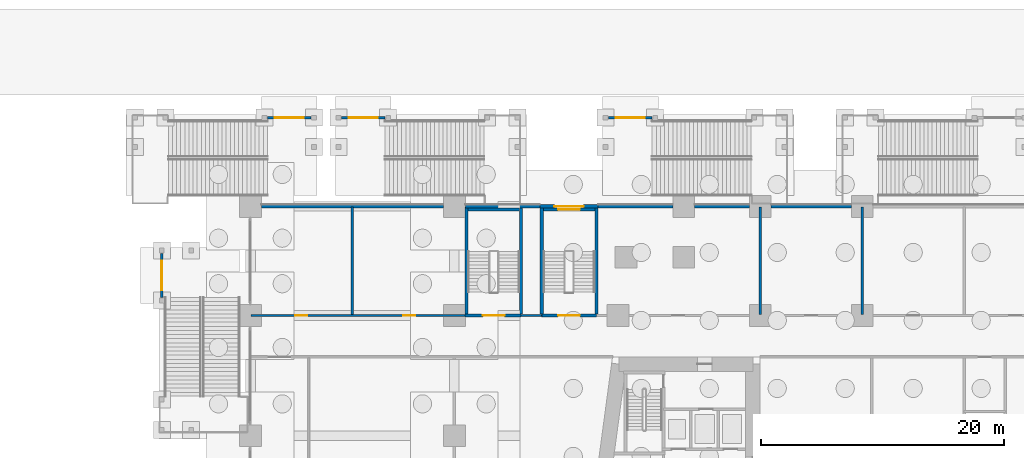
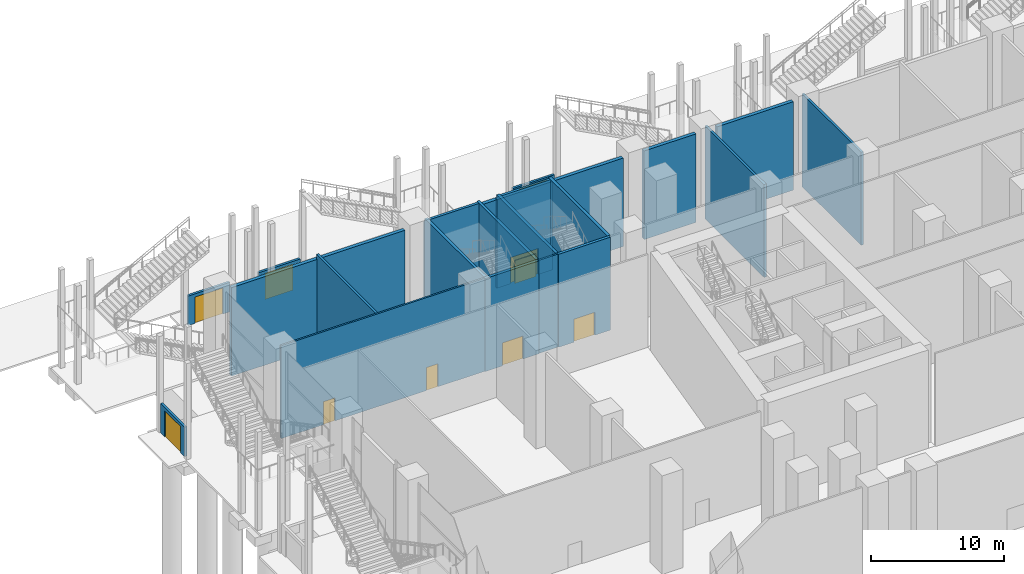
# One storey, part 49 of 72: 23 walls, 10 doors, 10 openings.
"""IFC4 building model written with IfcOpenShell, lengths in metres."""

from ifc_helpers import new_model, si_unit, direction, frame, frame_2d, origin, place, context, subcontext, project, spatial, rectangle, extrude, material, layer, layer_set, type_object, element, fill, save


model = new_model("IFC4")

# Units and contexts
model_context = context("Model", 3, precision=1e-05, world=origin(), true_north=direction((0.0, 1.0)))
body_context = subcontext(model_context, "Body", "Model", "MODEL_VIEW")
ifc_project = project(units=[si_unit("LENGTHUNIT", "METRE"), si_unit("AREAUNIT", "SQUARE_METRE"), si_unit("VOLUMEUNIT", "CUBIC_METRE"), si_unit("PLANEANGLEUNIT", "RADIAN"), si_unit("MASSUNIT", "GRAM", prefix="KILO")], contexts=[model_context])

# Site, building, storey
site_placement = place(None, origin())
site = spatial("IfcSite", under=ifc_project, at=site_placement, CompositionType="ELEMENT")
building_placement = place(site_placement, origin())
building = spatial("IfcBuilding", under=site, at=building_placement, Name="Candeia Pilgrim Tower and Theatre", CompositionType="ELEMENT")
storey_placement = place(building_placement, origin())
storey = spatial("IfcBuildingStorey", under=building, at=storey_placement, Name="L00", CompositionType="ELEMENT", Elevation=0.0)

# Walls
ifc_material_1 = material(Name="Ceramic block masonry", Category="masonry")
ifc_layer_1 = layer(ifc_material_1, 0.300048828125)
ifc_layer_set_1 = layer_set([ifc_layer_1], Name="EW1 glazing-line wall 300")
wall_type_1 = type_object("IfcWallType", Name="EW1 glazing-line wall 300", PredefinedType="SOLIDWALL", material=ifc_layer_set_1)
wall_1_placement = place(storey_placement, frame((59.699951171875, 144.800048828125, 0.0), z_axis=(0.0, 0.0, 1.0), x_axis=(1.0, 0.0, 0.0)))
element("IfcWall", 1, at=wall_1_placement, inside=storey, type_object=wall_type_1, Name="External wall L00 blind", PredefinedType="SOLIDWALL", context=body_context, shape_type="SweptSolid", body=[
    extrude(rectangle(XDim=15.0, YDim=0.300048828125, at=frame_2d((7.5, 0.0))), origin(), (0.0, 0.0, 1.0), 8.10009765625),
])
wall_2_placement = place(storey_placement, frame((76.5, 144.800048828125, 0.0), z_axis=(0.0, 0.0, 1.0), x_axis=(1.0, 0.0, 0.0)))
element("IfcWall", 2, at=wall_2_placement, inside=storey, type_object=wall_type_1, Name="External wall L00 blind", PredefinedType="SOLIDWALL", context=body_context, shape_type="SweptSolid", body=[
    extrude(rectangle(XDim=6.14990234375, YDim=0.300048828125, at=frame_2d((3.074951171875, 0.0))), origin(), (0.0, 0.0, 1.0), 8.10009765625),
])
wall_3_placement = place(storey_placement, frame((87.449951171875, 144.800048828125, 0.0), z_axis=(0.0, 0.0, 1.0), x_axis=(1.0, 0.0, 0.0)))
element("IfcWall", 3, at=wall_3_placement, inside=storey, type_object=wall_type_1, Name="External wall L00 blind", PredefinedType="SOLIDWALL", context=body_context, shape_type="SweptSolid", body=[
    extrude(rectangle(XDim=6.150146484375, YDim=0.300048828125, at=frame_2d((3.0751953125, 0.0))), origin(), (0.0, 0.0, 1.0), 8.10009765625),
])
wall_4_placement = place(storey_placement, frame((95.39990234375, 144.800048828125, 0.0), z_axis=(0.0, 0.0, 1.0), x_axis=(1.0, 0.0, 0.0)))
element("IfcWall", 4, at=wall_4_placement, inside=storey, type_object=wall_type_1, Name="External wall L00 blind", PredefinedType="SOLIDWALL", context=body_context, shape_type="SweptSolid", body=[
    extrude(rectangle(XDim=4.5, YDim=0.300048828125, at=frame_2d((2.25, 0.0))), origin(), (0.0, 0.0, 1.0), 8.10009765625),
])
wall_5_placement = place(storey_placement, frame((101.699951171875, 144.800048828125, 0.0), z_axis=(0.0, 0.0, 1.0), x_axis=(1.0, 0.0, 0.0)))
element("IfcWall", 5, at=wall_5_placement, inside=storey, type_object=wall_type_1, Name="External wall L00 blind", PredefinedType="SOLIDWALL", context=body_context, shape_type="SweptSolid", body=[
    extrude(rectangle(XDim=6.60009765625, YDim=0.300048828125, at=frame_2d((3.300048828125, 0.0))), origin(), (0.0, 0.0, 1.0), 8.10009765625),
])

# Wall, opening, door
ifc_layer_2 = layer(ifc_material_1, 0.300048828125)
ifc_layer_set_2 = layer_set([ifc_layer_2], Name="EW2 entrance infill wall 300")
wall_type_2 = type_object("IfcWallType", Name="EW2 entrance infill wall 300", PredefinedType="SOLIDWALL", material=ifc_layer_set_2)
wall_6_placement = place(storey_placement, frame((82.64990234375, 144.800048828125, 0.0), z_axis=(0.0, 0.0, 1.0), x_axis=(1.0, 0.0, 0.0)))
wall_6 = element("IfcWall", 6, at=wall_6_placement, inside=storey, type_object=wall_type_2, Name="Entrance wall L00", PredefinedType="SOLIDWALL", context=body_context, shape_type="SweptSolid", body=[
    extrude(rectangle(XDim=4.800048828125, YDim=0.300048828125, at=frame_2d((2.39990234375, 0.0))), origin(), (0.0, 0.0, 1.0), 8.10009765625),
])
opening_1_placement = place(wall_6_placement, frame((1.199951171875, 0.0, 0.0)))
opening_1 = element("IfcOpeningElement", 7, at=opening_1_placement, cuts=wall_6, Name="Opening L00-ED005", PredefinedType="OPENING", context=body_context, shape_type="SweptSolid", body=[
    extrude(rectangle(XDim=2.39990234375, YDim=2.39990234375, at=frame_2d((1.199951171875, 1.199951171875))), frame((0.0, 0.16015625, 0.0), z_axis=(0.0, -1.0, 0.0), x_axis=(1.0, 0.0, 0.0)), (0.0, 0.0, 1.0), 0.320068359375),
])
ifc_material_2 = material(Name="Aluminium framed glazed door", Category="aluminium")
door_type_1 = type_object("IfcDoorType", Name="ED entrance double door 2400x2400", OperationType="DOUBLE_DOOR_DOUBLE_SWING", PredefinedType="DOOR", material=ifc_material_2)
door_1_placement = place(opening_1_placement, origin())
door_1 = element("IfcDoor", 8, at=door_1_placement, inside=storey, type_object=door_type_1, Name="Entrance door L00-ED005", OperationType="DOUBLE_DOOR_DOUBLE_SWING", OverallHeight=2.39990234375, OverallWidth=2.39990234375, PredefinedType="DOOR", context=body_context, shape_type="SweptSolid", body=[
    extrude(rectangle(XDim=2.39990234375, YDim=2.39990234375, at=frame_2d((1.199951171875, 1.199951171875))), frame((0.0, 0.02490234375, 0.0), z_axis=(0.0, -1.0, 0.0), x_axis=(1.0, 0.0, 0.0)), (0.0, 0.0, 1.0), 0.050048828125),
])
fill(opening_1, door_1)

ifc_material_3 = material(Name="Concrete C35/45", Category="concrete")
ifc_layer_3 = layer(ifc_material_3, 0.199951171875)
ifc_layer_set_3 = layer_set([ifc_layer_3], Name="Escape stair gate wall 200")
wall_type_3 = type_object("IfcWallType", Name="Escape stair gate wall 200", PredefinedType="SOLIDWALL", material=ifc_layer_set_3)
wall_7_placement = place(storey_placement, frame((60.199951171875, 152.10009765625, 0.0), z_axis=(0.0, 0.0, 1.0), x_axis=(1.0, 0.0, 0.0)))
wall_7 = element("IfcWall", 9, at=wall_7_placement, inside=storey, type_object=wall_type_3, Name="External escape stair ES3 gate wall", PredefinedType="SOLIDWALL", context=body_context, shape_type="SweptSolid", body=[
    extrude(rectangle(XDim=3.60009765625, YDim=0.199951171875, at=frame_2d((1.800048828125, 0.0))), origin(), (0.0, 0.0, 1.0), 2.699951171875),
])
opening_2_placement = place(wall_7_placement, frame((0.60009765625, 0.0, 0.0)))
opening_2 = element("IfcOpeningElement", 10, at=opening_2_placement, cuts=wall_7, Name="Opening XG-3", PredefinedType="OPENING", context=body_context, shape_type="SweptSolid", body=[
    extrude(rectangle(XDim=2.39990234375, YDim=2.39990234375, at=frame_2d((1.199951171875, 1.199951171875))), frame((0.0, 0.10986328125, 0.0), z_axis=(0.0, -1.0, 0.0), x_axis=(1.0, 0.0, 0.0)), (0.0, 0.0, 1.0), 0.219970703125),
])
door_2_placement = place(opening_2_placement, origin())
door_2 = element("IfcDoor", 11, at=door_2_placement, inside=storey, type_object=door_type_1, Name="Final exit door ES3", OperationType="DOUBLE_DOOR_DOUBLE_SWING", OverallHeight=2.39990234375, OverallWidth=2.39990234375, PredefinedType="DOOR", context=body_context, shape_type="SweptSolid", body=[
    extrude(rectangle(XDim=2.39990234375, YDim=2.39990234375, at=frame_2d((1.199951171875, 1.199951171875))), frame((0.0, 0.02490234375, 0.0), z_axis=(0.0, -1.0, 0.0), x_axis=(1.0, 0.0, 0.0)), (0.0, 0.0, 1.0), 0.050048828125),
])
fill(opening_2, door_2)

wall_8_placement = place(storey_placement, frame((66.300048828125, 152.10009765625, 0.0), z_axis=(0.0, 0.0, 1.0), x_axis=(1.0, 0.0, 0.0)))
wall_8 = element("IfcWall", 12, at=wall_8_placement, inside=storey, type_object=wall_type_3, Name="External escape stair ES4 gate wall", PredefinedType="SOLIDWALL", context=body_context, shape_type="SweptSolid", body=[
    extrude(rectangle(XDim=3.599853515625, YDim=0.199951171875, at=frame_2d((1.7998046875, 0.0))), origin(), (0.0, 0.0, 1.0), 2.699951171875),
])
opening_3_placement = place(wall_8_placement, frame((0.60009765625, 0.0, 0.0)))
opening_3 = element("IfcOpeningElement", 13, at=opening_3_placement, cuts=wall_8, Name="Opening XG-4", PredefinedType="OPENING", context=body_context, shape_type="SweptSolid", body=[
    extrude(rectangle(XDim=2.39990234375, YDim=2.39990234375, at=frame_2d((1.199951171875, 1.199951171875))), frame((0.0, 0.10986328125, 0.0), z_axis=(0.0, -1.0, 0.0), x_axis=(1.0, 0.0, 0.0)), (0.0, 0.0, 1.0), 0.219970703125),
])
door_3_placement = place(opening_3_placement, origin())
door_3 = element("IfcDoor", 14, at=door_3_placement, inside=storey, type_object=door_type_1, Name="Final exit door ES4", OperationType="DOUBLE_DOOR_DOUBLE_SWING", OverallHeight=2.39990234375, OverallWidth=2.39990234375, PredefinedType="DOOR", context=body_context, shape_type="SweptSolid", body=[
    extrude(rectangle(XDim=2.39990234375, YDim=2.39990234375, at=frame_2d((1.199951171875, 1.199951171875))), frame((0.0, 0.02490234375, 0.0), z_axis=(0.0, -1.0, 0.0), x_axis=(1.0, 0.0, 0.0)), (0.0, 0.0, 1.0), 0.050048828125),
])
fill(opening_3, door_3)

wall_9_placement = place(storey_placement, frame((88.300048828125, 152.10009765625, 0.0), z_axis=(0.0, 0.0, 1.0), x_axis=(1.0, 0.0, 0.0)))
wall_9 = element("IfcWall", 15, at=wall_9_placement, inside=storey, type_object=wall_type_3, Name="External escape stair ES5 gate wall", PredefinedType="SOLIDWALL", context=body_context, shape_type="SweptSolid", body=[
    extrude(rectangle(XDim=3.599853515625, YDim=0.199951171875, at=frame_2d((1.7998046875, 0.0))), origin(), (0.0, 0.0, 1.0), 2.699951171875),
])
opening_4_placement = place(wall_9_placement, frame((0.60009765625, 0.0, 0.0)))
opening_4 = element("IfcOpeningElement", 16, at=opening_4_placement, cuts=wall_9, Name="Opening XG-5", PredefinedType="OPENING", context=body_context, shape_type="SweptSolid", body=[
    extrude(rectangle(XDim=2.39990234375, YDim=2.39990234375, at=frame_2d((1.199951171875, 1.199951171875))), frame((0.0, 0.10986328125, 0.0), z_axis=(0.0, -1.0, 0.0), x_axis=(1.0, 0.0, 0.0)), (0.0, 0.0, 1.0), 0.219970703125),
])
door_4_placement = place(opening_4_placement, origin())
door_4 = element("IfcDoor", 17, at=door_4_placement, inside=storey, type_object=door_type_1, Name="Final exit door ES5", OperationType="DOUBLE_DOOR_DOUBLE_SWING", OverallHeight=2.39990234375, OverallWidth=2.39990234375, PredefinedType="DOOR", context=body_context, shape_type="SweptSolid", body=[
    extrude(rectangle(XDim=2.39990234375, YDim=2.39990234375, at=frame_2d((1.199951171875, 1.199951171875))), frame((0.0, 0.02490234375, 0.0), z_axis=(0.0, -1.0, 0.0), x_axis=(1.0, 0.0, 0.0)), (0.0, 0.0, 1.0), 0.050048828125),
])
fill(opening_4, door_4)

wall_10_placement = place(storey_placement, frame((51.5, 137.300048828125, 0.0), z_axis=(0.0, 0.0, 1.0), x_axis=(0.0, 1.0, 0.0)))
wall_10 = element("IfcWall", 18, at=wall_10_placement, inside=storey, type_object=wall_type_3, Name="External escape stair ES13 gate wall", PredefinedType="SOLIDWALL", context=body_context, shape_type="SweptSolid", body=[
    extrude(rectangle(XDim=3.599853515625, YDim=0.199951171875, at=frame_2d((1.7998046875, 0.0))), origin(), (0.0, 0.0, 1.0), 2.699951171875),
])
opening_5_placement = place(wall_10_placement, frame((0.60009765625, 0.0, 0.0)))
opening_5 = element("IfcOpeningElement", 19, at=opening_5_placement, cuts=wall_10, Name="Opening XG-13", PredefinedType="OPENING", context=body_context, shape_type="SweptSolid", body=[
    extrude(rectangle(XDim=2.39990234375, YDim=2.39990234375, at=frame_2d((1.199951171875, 1.199951171875))), frame((0.0, 0.10986328125, 0.0), z_axis=(0.0, -1.0, 0.0), x_axis=(1.0, 0.0, 0.0)), (0.0, 0.0, 1.0), 0.219970703125),
])
door_5_placement = place(opening_5_placement, origin())
door_5 = element("IfcDoor", 20, at=door_5_placement, inside=storey, type_object=door_type_1, Name="Final exit door ES13", OperationType="DOUBLE_DOOR_DOUBLE_SWING", OverallHeight=2.39990234375, OverallWidth=2.39990234375, PredefinedType="DOOR", context=body_context, shape_type="SweptSolid", body=[
    extrude(rectangle(XDim=2.39990234375, YDim=2.39990234375, at=frame_2d((1.199951171875, 1.199951171875))), frame((0.0, 0.02490234375, 0.0), z_axis=(0.0, -1.0, 0.0), x_axis=(1.0, 0.0, 0.0)), (0.0, 0.0, 1.0), 0.050048828125),
])
fill(opening_5, door_5)

# Wall, openings, doors
ifc_material_4 = material(Name="Gypsum board partition on steel studs", Category="steel")
ifc_layer_4 = layer(ifc_material_4, 0.14990234375)
ifc_layer_set_4 = layer_set([ifc_layer_4], Name="PW-150 unit wall")
wall_type_4 = type_object("IfcWallType", Name="PW-150 unit wall", PredefinedType="PARTITIONING", material=ifc_layer_set_4)
wall_11_placement = place(storey_placement, frame((58.85009765625, 135.800048828125, 0.0), z_axis=(0.0, 0.0, 1.0), x_axis=(1.0, 0.0, 0.0)))
wall_11 = element("IfcWall", 21, at=wall_11_placement, inside=storey, type_object=wall_type_4, Name="Unit wall L00-039", PredefinedType="PARTITIONING", context=body_context, shape_type="SweptSolid", body=[
    extrude(rectangle(XDim=17.619873046875, YDim=0.14990234375, at=frame_2d((8.81005859375, 0.0))), origin(), (0.0, 0.0, 1.0), 8.5),
])
opening_6_placement = place(wall_11_placement, frame((3.64990234375, 0.0, 0.0)))
opening_6 = element("IfcOpeningElement", 22, at=opening_6_placement, cuts=wall_11, Name="Opening L00-D021", PredefinedType="OPENING", context=body_context, shape_type="SweptSolid", body=[
    extrude(rectangle(XDim=1.0, YDim=2.10009765625, at=frame_2d((0.5, 1.050048828125))), frame((0.0, 0.0849609375, 0.0), z_axis=(0.0, -1.0, 0.0), x_axis=(1.0, 0.0, 0.0)), (0.0, 0.0, 1.0), 0.169921875),
])
opening_7_placement = place(wall_11_placement, frame((12.550048828125, 0.0, 0.0)))
opening_7 = element("IfcOpeningElement", 23, at=opening_7_placement, cuts=wall_11, Name="Opening L00-D022", PredefinedType="OPENING", context=body_context, shape_type="SweptSolid", body=[
    extrude(rectangle(XDim=1.0, YDim=2.10009765625, at=frame_2d((0.5, 1.050048828125))), frame((0.0, 0.0849609375, 0.0), z_axis=(0.0, -1.0, 0.0), x_axis=(1.0, 0.0, 0.0)), (0.0, 0.0, 1.0), 0.169921875),
])
ifc_material_5 = material(Name="Steel fire door set", Category="steel")
door_type_2 = type_object("IfcDoorType", Name="D-1000-FD30S", OperationType="NOTDEFINED", PredefinedType="DOOR", material=ifc_material_5)
door_6_placement = place(opening_6_placement, origin())
door_6 = element("IfcDoor", 24, at=door_6_placement, inside=storey, type_object=door_type_2, Name="Door L00-D021", OperationType="SINGLE_SWING_LEFT", OverallHeight=2.10009765625, OverallWidth=1.0, PredefinedType="DOOR", context=body_context, shape_type="SweptSolid", body=[
    extrude(rectangle(XDim=1.0, YDim=2.10009765625, at=frame_2d((0.5, 1.050048828125))), frame((0.0, 0.02490234375, 0.0), z_axis=(0.0, -1.0, 0.0), x_axis=(1.0, 0.0, 0.0)), (0.0, 0.0, 1.0), 0.050048828125),
])
fill(opening_6, door_6)
door_7_placement = place(opening_7_placement, origin())
door_7 = element("IfcDoor", 25, at=door_7_placement, inside=storey, type_object=door_type_2, Name="Door L00-D022", OperationType="SINGLE_SWING_RIGHT", OverallHeight=2.10009765625, OverallWidth=1.0, PredefinedType="DOOR", context=body_context, shape_type="SweptSolid", body=[
    extrude(rectangle(XDim=1.0, YDim=2.10009765625, at=frame_2d((0.5, 1.050048828125))), frame((0.0, 0.02490234375, 0.0), z_axis=(0.0, -1.0, 0.0), x_axis=(1.0, 0.0, 0.0)), (0.0, 0.0, 1.0), 0.050048828125),
])
fill(opening_7, door_7)

# Walls
wall_12_placement = place(storey_placement, frame((81.10009765625, 135.800048828125, 0.0), z_axis=(0.0, 0.0, 1.0), x_axis=(1.0, 0.0, 0.0)))
element("IfcWall", 26, at=wall_12_placement, inside=storey, type_object=wall_type_4, Name="Unit wall L00-040", PredefinedType="PARTITIONING", context=body_context, shape_type="SweptSolid", body=[
    extrude(rectangle(XDim=1.699951171875, YDim=0.14990234375, at=frame_2d((0.85009765625, 0.0))), origin(), (0.0, 0.0, 1.0), 8.5),
])
ifc_layer_5 = layer(ifc_material_4, 0.199951171875)
ifc_layer_set_5 = layer_set([ifc_layer_5], Name="PW-200 party wall")
wall_type_5 = type_object("IfcWallType", Name="PW-200 party wall", PredefinedType="PARTITIONING", material=ifc_layer_set_5)
for number, where, z_axis, x_axis, name in (
    (27, (67.199951171875, 135.875, 0.0), (0.0, 0.0, 1.0), (0.0, 1.0, 0.0), "Party wall L00-045"),
    (28, (100.800048828125, 135.875, 0.0), (0.0, 0.0, 1.0), (0.0, 1.0, 0.0), "Party wall L00-068"),
    (29, (109.199951171875, 135.875, 0.0), (0.0, 0.0, 1.0), (0.0, 1.0, 0.0), "Party wall L00-070"),
):
    element("IfcWall", number, at=place(storey_placement, frame(where, z_axis=z_axis, x_axis=x_axis)), inside=storey, type_object=wall_type_5, Name=name, PredefinedType="PARTITIONING", context=body_context, shape_type="SweptSolid", body=[
        extrude(rectangle(XDim=8.875, YDim=0.199951171875, at=frame_2d((4.4375, 0.0))), origin(), (0.0, 0.0, 1.0), 8.5),
    ])

# Wall, opening, door
ifc_material_6 = material(Name="Concrete C40/50", Category="concrete")
ifc_layer_6 = layer(ifc_material_6, 0.25)
ifc_layer_set_6 = layer_set([ifc_layer_6], Name="SW-250 stair wall")
wall_type_6 = type_object("IfcWallType", Name="SW-250 stair wall", PredefinedType="PARTITIONING", material=ifc_layer_set_6)
wall_13_placement = place(storey_placement, frame((76.469970703125, 135.800048828125, 0.0), z_axis=(0.0, 0.0, 1.0), x_axis=(1.0, 0.0, 0.0)))
wall_13 = element("IfcWall", 30, at=wall_13_placement, inside=storey, type_object=wall_type_6, Name="Stair wall L00-035", PredefinedType="PARTITIONING", context=body_context, shape_type="SweptSolid", body=[
    extrude(rectangle(XDim=4.630126953125, YDim=0.25, at=frame_2d((2.31494140625, 0.0))), origin(), (0.0, 0.0, 1.0), 8.5),
])
opening_8_placement = place(wall_13_placement, frame((1.47998046875, 0.0, 0.0)))
opening_8 = element("IfcOpeningElement", 31, at=opening_8_placement, cuts=wall_13, Name="Opening L00-D017", PredefinedType="OPENING", context=body_context, shape_type="SweptSolid", body=[
    extrude(rectangle(XDim=1.800048828125, YDim=2.10009765625, at=frame_2d((0.89990234375, 1.050048828125))), frame((0.0, 0.135009765625, 0.0), z_axis=(0.0, -1.0, 0.0), x_axis=(1.0, 0.0, 0.0)), (0.0, 0.0, 1.0), 0.27001953125),
])
ifc_material_7 = material(Name="Steel exit door", Category="steel")
door_type_3 = type_object("IfcDoorType", Name="DX-1800-FD60", OperationType="NOTDEFINED", PredefinedType="DOOR", material=ifc_material_7)
door_8_placement = place(opening_8_placement, origin())
door_8 = element("IfcDoor", 32, at=door_8_placement, inside=storey, type_object=door_type_3, Name="Door L00-D017", OperationType="SINGLE_SWING_LEFT", OverallHeight=2.10009765625, OverallWidth=1.800048828125, PredefinedType="DOOR", context=body_context, shape_type="SweptSolid", body=[
    extrude(rectangle(XDim=1.800048828125, YDim=2.10009765625, at=frame_2d((0.89990234375, 1.050048828125))), frame((0.0, 0.02490234375, 0.0), z_axis=(0.0, -1.0, 0.0), x_axis=(1.0, 0.0, 0.0)), (0.0, 0.0, 1.0), 0.050048828125),
])
fill(opening_8, door_8)

wall_14_placement = place(storey_placement, frame((82.800048828125, 135.800048828125, 0.0), z_axis=(0.0, 0.0, 1.0), x_axis=(1.0, 0.0, 0.0)))
wall_14 = element("IfcWall", 33, at=wall_14_placement, inside=storey, type_object=wall_type_6, Name="Stair wall L00-036", PredefinedType="PARTITIONING", context=body_context, shape_type="SweptSolid", body=[
    extrude(rectangle(XDim=4.5, YDim=0.25, at=frame_2d((2.25, 0.0))), origin(), (0.0, 0.0, 1.0), 8.5),
])
opening_9_placement = place(wall_14_placement, frame((1.35009765625, 0.0, 0.0)))
opening_9 = element("IfcOpeningElement", 34, at=opening_9_placement, cuts=wall_14, Name="Opening L00-D018", PredefinedType="OPENING", context=body_context, shape_type="SweptSolid", body=[
    extrude(rectangle(XDim=1.800048828125, YDim=2.10009765625, at=frame_2d((0.89990234375, 1.050048828125))), frame((0.0, 0.135009765625, 0.0), z_axis=(0.0, -1.0, 0.0), x_axis=(1.0, 0.0, 0.0)), (0.0, 0.0, 1.0), 0.27001953125),
])
door_9_placement = place(opening_9_placement, origin())
door_9 = element("IfcDoor", 35, at=door_9_placement, inside=storey, type_object=door_type_3, Name="Door L00-D018", OperationType="SINGLE_SWING_RIGHT", OverallHeight=2.10009765625, OverallWidth=1.800048828125, PredefinedType="DOOR", context=body_context, shape_type="SweptSolid", body=[
    extrude(rectangle(XDim=1.800048828125, YDim=2.10009765625, at=frame_2d((0.89990234375, 1.050048828125))), frame((0.0, 0.02490234375, 0.0), z_axis=(0.0, -1.0, 0.0), x_axis=(1.0, 0.0, 0.0)), (0.0, 0.0, 1.0), 0.050048828125),
])
fill(opening_9, door_9)

# Walls
for number, where, z_axis, x_axis, name in (
    (36, (76.60009765625, 135.925048828125, 0.0), (0.0, 0.0, 1.0), (0.0, 1.0, 0.0), "Stair wall L00-047"),
    (37, (81.10009765625, 135.925048828125, 0.0), (0.0, 0.0, 1.0), (0.0, 1.0, 0.0), "Stair wall L00-048"),
    (38, (82.800048828125, 135.925048828125, 0.0), (0.0, 0.0, 1.0), (0.0, 1.0, 0.0), "Stair wall L00-049"),
    (39, (87.300048828125, 135.925048828125, 0.0), (0.0, 0.0, 1.0), (0.0, 1.0, 0.0), "Stair wall L00-050"),
):
    element("IfcWall", number, at=place(storey_placement, frame(where, z_axis=z_axis, x_axis=x_axis)), inside=storey, type_object=wall_type_6, Name=name, PredefinedType="PARTITIONING", context=body_context, shape_type="SweptSolid", body=[
        extrude(rectangle(XDim=8.824951171875, YDim=0.25, at=frame_2d((4.41259765625, 0.0))), origin(), (0.0, 0.0, 1.0), 8.5),
    ])
wall_15_placement = place(storey_placement, frame((76.72509765625, 144.53759765625, 0.0), z_axis=(0.0, 0.0, 1.0), x_axis=(1.0, 0.0, 0.0)))
element("IfcWall", 40, at=wall_15_placement, inside=storey, type_object=wall_type_6, Name="Stair back wall PS1 L00", PredefinedType="PARTITIONING", context=body_context, shape_type="SweptSolid", body=[
    extrude(rectangle(XDim=4.25, YDim=0.22509765625, at=frame_2d((2.125, 0.0))), origin(), (0.0, 0.0, 1.0), 8.5),
])

# Wall, opening, door
wall_16_placement = place(storey_placement, frame((82.925048828125, 144.53759765625, 0.0), z_axis=(0.0, 0.0, 1.0), x_axis=(1.0, 0.0, 0.0)))
wall_16 = element("IfcWall", 41, at=wall_16_placement, inside=storey, type_object=wall_type_6, Name="Stair back wall PS2 L00", PredefinedType="PARTITIONING", context=body_context, shape_type="SweptSolid", body=[
    extrude(rectangle(XDim=4.25, YDim=0.22509765625, at=frame_2d((2.125, 0.0))), origin(), (0.0, 0.0, 1.0), 8.5),
])
opening_10_placement = place(wall_16_placement, frame((1.22509765625, 0.0, 0.0)))
opening_10 = element("IfcOpeningElement", 42, at=opening_10_placement, cuts=wall_16, Name="Opening L00-SD2", PredefinedType="OPENING", context=body_context, shape_type="SweptSolid", body=[
    extrude(rectangle(XDim=1.800048828125, YDim=2.10009765625, at=frame_2d((0.89990234375, 1.050048828125))), frame((0.0, 0.12255859375, 0.0), z_axis=(0.0, -1.0, 0.0), x_axis=(1.0, 0.0, 0.0)), (0.0, 0.0, 1.0), 0.2451171875),
])
door_type_4 = type_object("IfcDoorType", Name="D-1800-FD60", OperationType="NOTDEFINED", PredefinedType="DOOR", material=ifc_material_5)
door_10_placement = place(opening_10_placement, origin())
door_10 = element("IfcDoor", 43, at=door_10_placement, inside=storey, type_object=door_type_4, Name="Stair discharge door PS2", OperationType="DOUBLE_DOOR_DOUBLE_SWING", OverallHeight=2.10009765625, OverallWidth=1.800048828125, PredefinedType="DOOR", context=body_context, shape_type="SweptSolid", body=[
    extrude(rectangle(XDim=1.800048828125, YDim=2.10009765625, at=frame_2d((0.89990234375, 1.050048828125))), frame((0.0, 0.02490234375, 0.0), z_axis=(0.0, -1.0, 0.0), x_axis=(1.0, 0.0, 0.0)), (0.0, 0.0, 1.0), 0.050048828125),
])
fill(opening_10, door_10)

save(model, "model.ifc")
